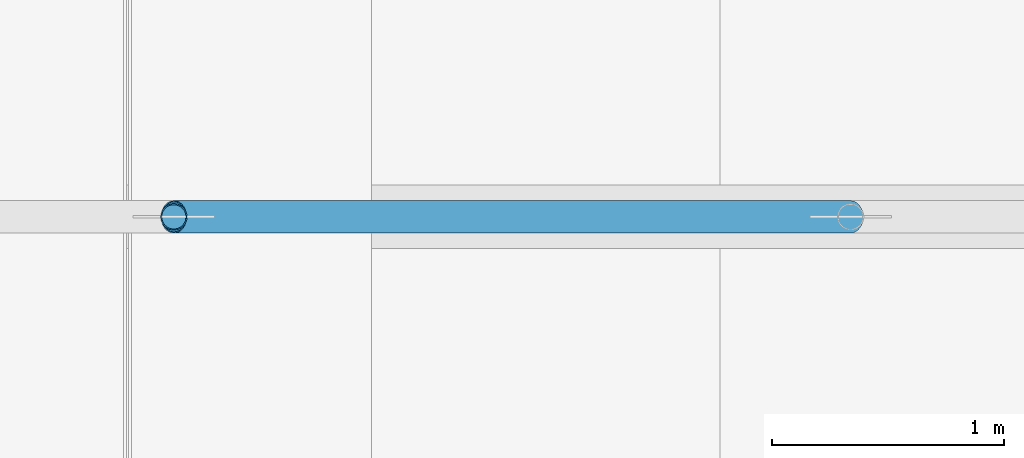
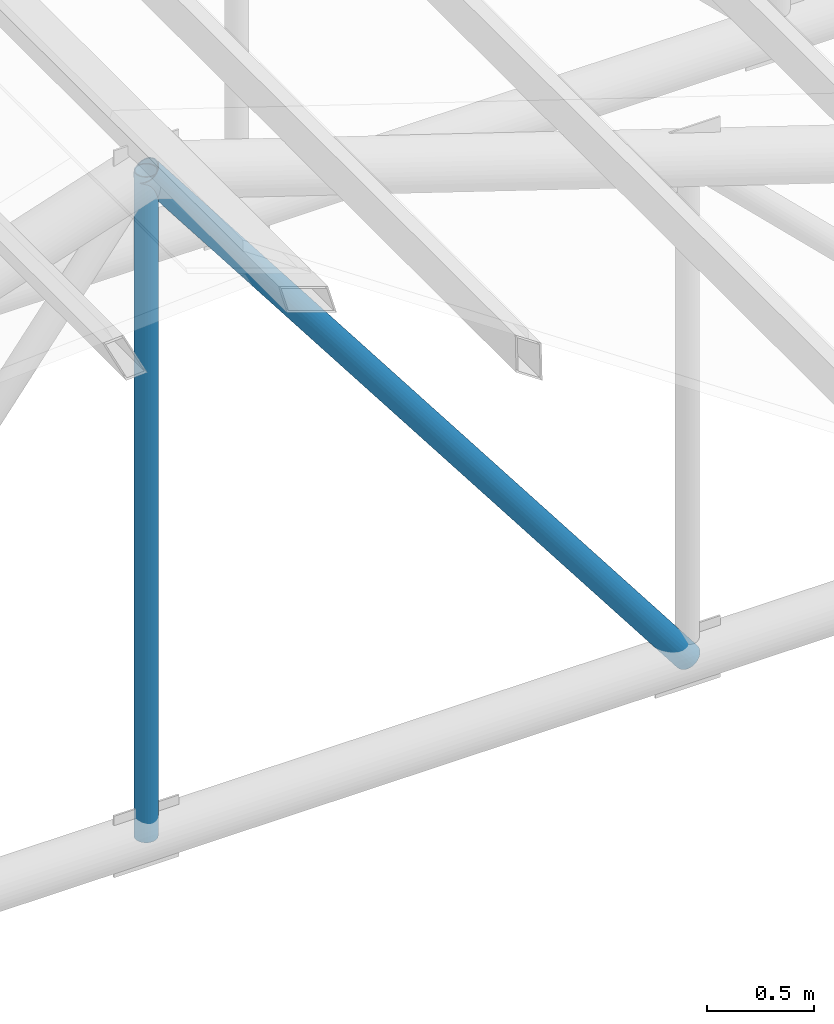
# One storey, part 15 of 95: 2 members.
"""IFC4 building model written with IfcOpenShell, lengths in metres."""

import ifcopenshell
import ifcopenshell.guid

model = None  # the IFC model being written
_history = None  # IfcOwnerHistory: only IFC2X3 demands one
_inside = {}  # id of a spatial element -> (the spatial element, [elements in it])
_under = {}  # id of a project, library or spatial element -> (it, [spatial elements below it])
_declared = {}  # id of a project -> (the project, [libraries it declares])
_typed = {}  # id of a type object -> (the type object, [elements of that type])
_made_of = {}  # id of a material, layer set ... -> (it, [elements and type objects made of it])


def new_model(schema):
    """Start an empty IFC model of exactly this schema.

    Asked for "IFC4X3", IfcOpenShell would pick the latest addendum, in which some entities
    have other attributes; the version numbers below select the first issue.
    IFC2X3 requires an IfcOwnerHistory on every rooted entity: one is made here for all.
    """
    global model, _history
    if schema == "IFC4X3":
        model = ifcopenshell.file(schema_version=(4, 3, 0, 0))
    else:
        model = ifcopenshell.file(schema=schema)
    _inside.clear()
    _under.clear()
    _declared.clear()
    _typed.clear()
    _made_of.clear()
    _history = None
    if model.schema == "IFC2X3":
        org = make("IfcOrganization", Name="unknown")
        user = make(
            "IfcPersonAndOrganization",
            ThePerson=make("IfcPerson", FamilyName="unknown"),
            TheOrganization=org,
        )
        app = make(
            "IfcApplication",
            ApplicationDeveloper=org,
            Version="unknown",
            ApplicationFullName="unknown",
            ApplicationIdentifier="unknown",
        )
        _history = make(
            "IfcOwnerHistory",
            OwningUser=user,
            OwningApplication=app,
            ChangeAction="ADDED",
            CreationDate=0,
        )
    return model


def make(cls, **values):
    """One entity of the class cls with the attributes given. An attribute that is None is left unset."""
    return model.create_entity(
        cls, **{name: value for name, value in values.items() if value is not None}
    )


def rooted(cls, **values):
    """An entity with a GlobalId (a new one), such as an element, a storey or a relation."""
    return make(cls, GlobalId=ifcopenshell.guid.new(), OwnerHistory=_history, **values)


def si_unit(unit_type, name, prefix=None):
    """IfcSIUnit, for example si_unit("LENGTHUNIT", "METRE", prefix="MILLI")."""
    return make("IfcSIUnit", UnitType=unit_type, Prefix=prefix, Name=name)


def assignment(units):
    """IfcUnitAssignment: the units of a project."""
    return None if units is None else make("IfcUnitAssignment", Units=units)


def point(xyz):
    """IfcCartesianPoint."""
    return None if xyz is None else make("IfcCartesianPoint", Coordinates=xyz)


def direction(xyz):
    """IfcDirection."""
    return None if xyz is None else make("IfcDirection", DirectionRatios=xyz)


def frame(location, z_axis=None, x_axis=None):
    """IfcAxis2Placement3D, a coordinate frame: its origin and axes. An axis left out is left unset."""
    return make(
        "IfcAxis2Placement3D",
        Location=point(location),
        Axis=direction(z_axis),
        RefDirection=direction(x_axis),
    )


def frame_2d(location, x_axis=None):
    """IfcAxis2Placement2D, a coordinate frame in the plane: its origin and x axis."""
    return make(
        "IfcAxis2Placement2D", Location=point(location), RefDirection=direction(x_axis)
    )


def origin():
    """The frame at (0, 0, 0) with its axes left unset."""
    return frame((0.0, 0.0, 0.0))


def origin_2d():
    """The frame at (0, 0) in the plane with its x axis left unset."""
    return frame_2d((0.0, 0.0))


def place(relative_to, where):
    """IfcLocalPlacement: puts the frame where relative to a parent placement (None: the world)."""
    return make(
        "IfcLocalPlacement", PlacementRelTo=relative_to, RelativePlacement=where
    )


def context(
    kind, dimensions, precision=None, world=None, true_north=None, identifier=None
):
    """IfcGeometricRepresentationContext, for example the 3D "Model" context."""
    return make(
        "IfcGeometricRepresentationContext",
        ContextIdentifier=identifier,
        ContextType=kind,
        CoordinateSpaceDimension=dimensions,
        Precision=precision,
        WorldCoordinateSystem=world,
        TrueNorth=true_north,
    )


def subcontext(parent, identifier, kind, view, scale=None):
    """IfcGeometricRepresentationSubContext, for example "Body" below "Model"."""
    return make(
        "IfcGeometricRepresentationSubContext",
        ContextIdentifier=identifier,
        ContextType=kind,
        ParentContext=parent,
        TargetScale=scale,
        TargetView=view,
    )


def project(units=None, contexts=None):
    """IfcProject with its units and contexts."""
    return rooted(
        "IfcProject",
        Name="project",
        RepresentationContexts=contexts,
        UnitsInContext=assignment(units),
    )


def spatial(cls, under=None, at=None, **own):
    """A site, building, storey or space (cls), placed at a placement, below another one or the project."""
    s = rooted(cls, ObjectPlacement=at, **own)
    if under is not None:
        _under.setdefault(under.id(), (under, []))[1].append(s)
    return s


def profile(cls, at=None, kind="AREA", **sizes):
    """A parametric profile (cls). Its sizes go by their IFC names, for example OverallWidth=200.0."""
    return make(cls, ProfileType=kind, Position=at, **sizes)


def hollow_circle(**sizes):
    """IfcCircleHollowProfileDef."""
    return profile("IfcCircleHollowProfileDef", **sizes)


def extrude(swept, where, along, depth):
    """IfcExtrudedAreaSolid: the profile swept, set in the frame where, extruded along a direction by depth."""
    return make(
        "IfcExtrudedAreaSolid",
        SweptArea=swept,
        Position=where,
        ExtrudedDirection=direction(along),
        Depth=depth,
    )


def shape(context_of_items, identifier, shape_type, items):
    """IfcShapeRepresentation: the items that make up one representation, for example the "Body"."""
    return make(
        "IfcShapeRepresentation",
        ContextOfItems=context_of_items,
        RepresentationIdentifier=identifier,
        RepresentationType=shape_type,
        Items=items,
    )


def material(Name=None, Category=None):
    """IfcMaterial."""
    return make("IfcMaterial", Name=Name, Category=Category)


def material_profile(
    of_material, cross_section, Name=None, Category=None, Priority=None
):
    """IfcMaterialProfile: a cross section and its material."""
    return make(
        "IfcMaterialProfile",
        Name=Name,
        Material=of_material,
        Profile=cross_section,
        Priority=Priority,
        Category=Category,
    )


def profile_set(profiles, Name=None, composite=None):
    """IfcMaterialProfileSet."""
    return make(
        "IfcMaterialProfileSet",
        Name=Name,
        MaterialProfiles=profiles,
        CompositeProfile=composite,
    )


def made_of(thing, what):
    """Note that an element or type object is made of a material, layer set ...; save() writes the relation."""
    if what is not None:
        _made_of.setdefault(what.id(), (what, []))[1].append(thing)
    return thing


def type_object(cls, material=None, **own):
    """A type object (cls), such as IfcWallType, which elements share."""
    return made_of(rooted(cls, **own), material)


def element(
    cls,
    number,
    at=None,
    inside=None,
    cuts=None,
    type_object=None,
    material=None,
    context=None,
    identifier="Body",
    shape_type=None,
    held_by="IfcProductDefinitionShape",
    body=None,
    shapes=None,
    **own,
):
    """One element of the class cls, such as IfcWall. Its Tag is "e" and its number.

    at: its placement. inside: the storey or other place that contains it. cuts: it is an
    opening in that element (IfcRelVoidsElement). A single representation is given by context,
    identifier, shape_type and body (its items); several are given by shapes. held_by: the class
    of the entity that holds the representations. save() writes the other relations.
    """
    e = rooted(cls, Tag="e%d" % number, ObjectPlacement=at, **own)
    if body is not None:
        shapes = [shape(context, identifier, shape_type, body)]
    if shapes is not None:
        e.Representation = make(held_by, Representations=shapes)
    if inside is not None:
        _inside.setdefault(inside.id(), (inside, []))[1].append(e)
    if cuts is not None:
        rooted(
            "IfcRelVoidsElement", RelatingBuildingElement=cuts, RelatedOpeningElement=e
        )
    if type_object is not None:
        _typed.setdefault(type_object.id(), (type_object, []))[1].append(e)
    return made_of(e, material)


def aggregate(whole, parts):
    """IfcRelAggregates: a whole, such as a stair, and the parts it consists of."""
    return rooted("IfcRelAggregates", RelatingObject=whole, RelatedObjects=parts)


def save(model, path):
    """Write the relations noted so far, then the file.

    IfcRelAggregates (storeys below a building ...), IfcRelContainedInSpatialStructure (elements
    in a storey), IfcRelDefinesByType, IfcRelAssociatesMaterial and IfcRelDeclares: one each for
    every whole, place, type object, material and project.
    """
    for whole, parts in _under.values():
        aggregate(whole, parts)
    for where, things in _inside.values():
        rooted(
            "IfcRelContainedInSpatialStructure",
            RelatedElements=things,
            RelatingStructure=where,
        )
    for kind, things in _typed.values():
        rooted("IfcRelDefinesByType", RelatedObjects=things, RelatingType=kind)
    for what, things in _made_of.values():
        rooted("IfcRelAssociatesMaterial", RelatedObjects=things, RelatingMaterial=what)
    for by, libraries in _declared.values():
        rooted("IfcRelDeclares", RelatingContext=by, RelatedDefinitions=libraries)
    model.write(path)


model = new_model("IFC4")

# Units and contexts
model_context = context("Model", 3, precision=1e-05, world=origin(), true_north=direction((0.0, 1.0)))
body_context = subcontext(model_context, "Body", "Model", "MODEL_VIEW")
ifc_project = project(units=[si_unit("LENGTHUNIT", "METRE"), si_unit("AREAUNIT", "SQUARE_METRE"), si_unit("VOLUMEUNIT", "CUBIC_METRE"), si_unit("PLANEANGLEUNIT", "RADIAN"), si_unit("MASSUNIT", "GRAM", prefix="KILO")], contexts=[model_context])

# Site, building, storey
site_placement = place(None, origin())
site = spatial("IfcSite", under=ifc_project, at=site_placement, CompositionType="ELEMENT")
building_placement = place(site_placement, origin())
building = spatial("IfcBuilding", under=site, at=building_placement, Name="Kiln Court Media Centre", CompositionType="ELEMENT")
storey_placement = place(building_placement, frame((0.0, 0.0, 24.60009765625)))
storey = spatial("IfcBuildingStorey", under=building, at=storey_placement, Name="L05", CompositionType="ELEMENT", Elevation=24.60009765625)

# Members
ifc_material_1 = material(Name="Steel ASTM A500 Gr C", Category="steel")
ifc_material_profile_1 = material_profile(ifc_material_1, hollow_circle(Radius=0.05712890625, WallThickness=0.0048828125, at=origin_2d()), Name="CHS 114.3x5.0")
ifc_profile_set_1 = profile_set([ifc_material_profile_1], Name="Steel ASTM A500 Gr C")
member_type_1 = type_object("IfcMemberType", Name="Steel ASTM A500 Gr C CHS 114.3x5.0 truss web", PredefinedType="BRACE", material=ifc_profile_set_1)
member_1_placement = place(storey_placement, frame((46.39990234375, 33.60009765625, -0.013916015625), z_axis=(0.0, 0.0, 1.0), x_axis=(1.0, 0.0, 0.0)))
element("IfcMember", 1, at=member_1_placement, inside=storey, type_object=member_type_1, Name="foyer truss FT-03 post 4 truss web", PredefinedType="BRACE", context=body_context, shape_type="SweptSolid", body=[
    extrude(hollow_circle(Radius=0.05712890625, WallThickness=0.0048828125, at=origin_2d()), origin(), (0.0, 0.0, 1.0), 3.785400390625),
])
ifc_material_2 = material(Name="Steel ASTM A500 Gr C", Category="steel")
ifc_material_profile_2 = material_profile(ifc_material_2, hollow_circle(Radius=0.06982421875, WallThickness=0.0048828125, at=origin_2d()), Name="CHS 139.7x5.0")
ifc_profile_set_2 = profile_set([ifc_material_profile_2], Name="Steel ASTM A500 Gr C")
member_type_2 = type_object("IfcMemberType", Name="Steel ASTM A500 Gr C CHS 139.7x5.0 truss web", PredefinedType="BRACE", material=ifc_profile_set_2)
member_2_placement = place(storey_placement, frame((46.39990234375, 33.60009765625, 3.771484375), z_axis=(0.609809567012, 0.0, -0.792547974561), x_axis=(0.0, 1.0, 0.0)))
element("IfcMember", 2, at=member_2_placement, inside=storey, type_object=member_type_2, Name="foyer truss FT-03 diagonal 5 truss web", PredefinedType="BRACE", context=body_context, shape_type="SweptSolid", body=[
    extrude(hollow_circle(Radius=0.06982421875, WallThickness=0.0048828125, at=origin_2d()), origin(), (0.0, 0.0, 1.0), 4.776123046875),
])

save(model, "model.ifc")
